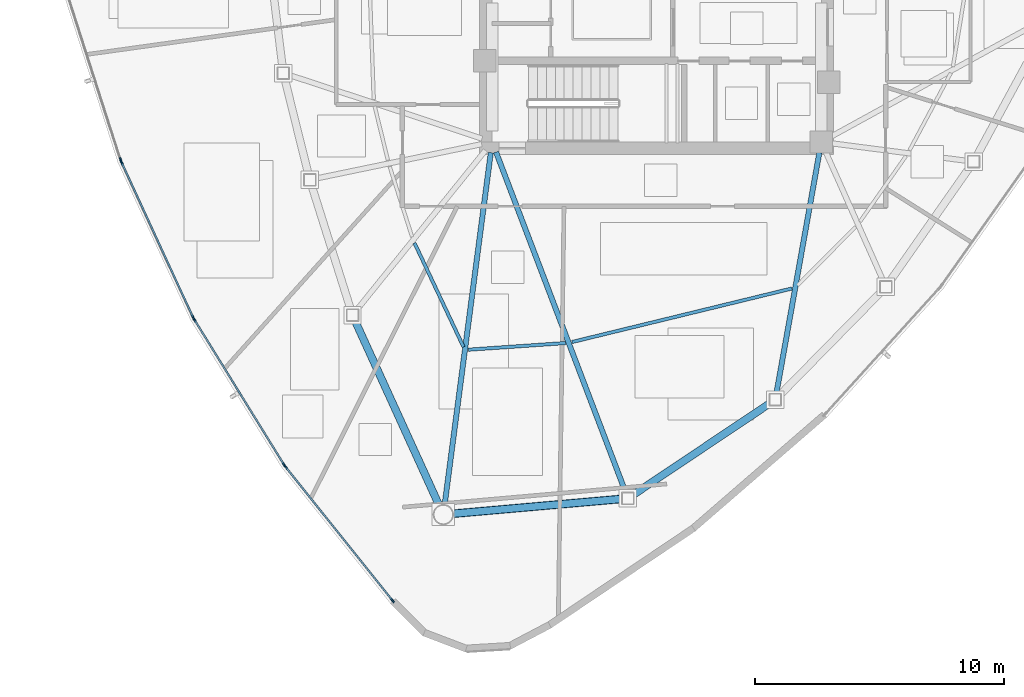
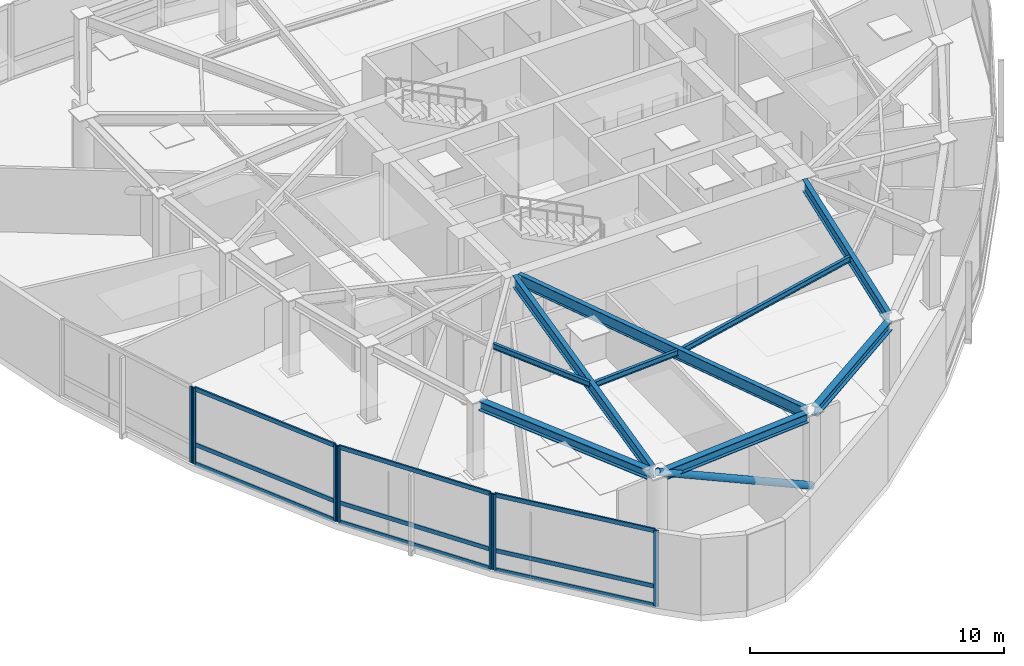
# One storey, part 2 of 14: 17 members, 9 beams, 4 elements without a shape of their own.
"""IFC4 building model written with IfcOpenShell, lengths in metres."""

from ifc_helpers import new_model, si_unit, direction, frame, origin, origin_2d, place, context, subcontext, project, spatial, hollow_rectangle, hollow_circle, i_section, extrude, source, transform, mapped, material, layer, layer_set, material_profile, profile_set, type_object, type_shapes, element, aggregate, save


model = new_model("IFC4")

# Units and contexts
model_context = context("Model", 3, precision=1e-05, world=origin(), true_north=direction((0.0, 1.0)))
body_context = subcontext(model_context, "Body", "Model", "MODEL_VIEW")
ifc_project = project(units=[si_unit("LENGTHUNIT", "METRE"), si_unit("AREAUNIT", "SQUARE_METRE"), si_unit("VOLUMEUNIT", "CUBIC_METRE"), si_unit("PLANEANGLEUNIT", "RADIAN"), si_unit("MASSUNIT", "GRAM", prefix="KILO")], contexts=[model_context])

# Site, building, storey
site_placement = place(None, origin())
site = spatial("IfcSite", under=ifc_project, at=site_placement, CompositionType="ELEMENT")
building_placement = place(site_placement, origin())
building = spatial("IfcBuilding", under=site, at=building_placement, Name="Tavelor Broadcast Tower", CompositionType="ELEMENT")
storey_placement = place(building_placement, frame((0.0, 0.0, 257.699951171875)))
storey = spatial("IfcBuildingStorey", under=building, at=storey_placement, Name="L61", CompositionType="ELEMENT", Elevation=257.699951171875)

# Beams
ifc_material_1 = material(Name="Steel S355", Category="steel")
ifc_material_profile_1 = material_profile(ifc_material_1, i_section(OverallWidth=0.135009765625, OverallDepth=0.27001953125, WebThickness=0.006591796875, FlangeThickness=0.01025390625, at=origin_2d()), Name="IPE 270")
ifc_profile_set_1 = profile_set([ifc_material_profile_1], Name="Steel S355")
beam_type_1 = type_object("IfcBeamType", Name="Composite Floor Joist T6 IPE 270", PredefinedType="JOIST", material=ifc_profile_set_1)
beam_1_placement = place(storey_placement, frame((40.28466796875, 34.7451171875, 3.51513671875), z_axis=(0.426527038786, -0.904474811802, 0.0), x_axis=(0.904474811802, 0.426527038786, 0.0)))
element("IfcBeam", 1, at=beam_1_placement, inside=storey, type_object=beam_type_1, Name="L61 Secondary Composite Floor Joist 06", PredefinedType="JOIST", context=body_context, shape_type="SweptSolid", body=[
    extrude(i_section(OverallWidth=0.135009765625, OverallDepth=0.27001953125, WebThickness=0.006591796875, FlangeThickness=0.01025390625, at=origin_2d()), origin(), (0.0, 0.0, 1.0), 4.60546875),
])
beam_2_placement = place(storey_placement, frame((42.440185546875, 30.46728515625, 3.51513671875), z_axis=(0.997669102567, 0.068237539396, 0.0), x_axis=(-0.068237539396, 0.997669102567, 0.0)))
element("IfcBeam", 2, at=beam_2_placement, inside=storey, type_object=beam_type_1, Name="L61 Secondary Composite Floor Joist 07", PredefinedType="JOIST", context=body_context, shape_type="SweptSolid", body=[
    extrude(i_section(OverallWidth=0.135009765625, OverallDepth=0.27001953125, WebThickness=0.006591796875, FlangeThickness=0.01025390625, at=origin_2d()), origin(), (0.0, 0.0, 1.0), 3.9033203125),
])
beam_3_placement = place(storey_placement, frame((46.598876953125, 30.7744140625, 3.51513671875), z_axis=(0.971610196631, 0.236587459098, 0.0), x_axis=(-0.236587459098, 0.971610196631, 0.0)))
element("IfcBeam", 3, at=beam_3_placement, inside=storey, type_object=beam_type_1, Name="L61 Secondary Composite Floor Joist 08", PredefinedType="JOIST", context=body_context, shape_type="SweptSolid", body=[
    extrude(i_section(OverallWidth=0.135009765625, OverallDepth=0.27001953125, WebThickness=0.006591796875, FlangeThickness=0.01025390625, at=origin_2d()), origin(), (0.0, 0.0, 1.0), 9.0849609375),
])
ifc_material_profile_2 = material_profile(ifc_material_1, i_section(OverallWidth=0.300048828125, OverallDepth=0.449951171875, WebThickness=0.013916015625, FlangeThickness=0.02587890625, at=origin_2d()), Name="HEB 450")
ifc_profile_set_2 = profile_set([ifc_material_profile_2], Name="Steel S355")
beam_type_2 = type_object("IfcBeamType", Name="Perimeter Spandrel Beam T6 HEB 450", PredefinedType="SPANDREL", material=ifc_profile_set_2)
beam_4_placement = place(storey_placement, frame((37.896484375, 31.635009765625, 3.425048828125), z_axis=(0.414463300231, -0.910066026595, 0.0), x_axis=(0.910066026595, 0.414463300231, 0.0)))
element("IfcBeam", 4, at=beam_4_placement, inside=storey, type_object=beam_type_2, Name="L61 Framed-Tube Ring Spandrel 06", PredefinedType="SPANDREL", context=body_context, shape_type="SweptSolid", body=[
    extrude(i_section(OverallWidth=0.300048828125, OverallDepth=0.449951171875, WebThickness=0.013916015625, FlangeThickness=0.02587890625, at=origin_2d()), origin(), (0.0, 0.0, 1.0), 8.16015625),
])
beam_5_placement = place(storey_placement, frame((41.828857421875, 23.887939453125, 3.425048828125), z_axis=(0.996154580768, 0.087613076733, 0.0), x_axis=(-0.087613076733, 0.996154580768, 0.0)))
element("IfcBeam", 5, at=beam_5_placement, inside=storey, type_object=beam_type_2, Name="L61 Framed-Tube Ring Spandrel 07", PredefinedType="SPANDREL", context=body_context, shape_type="SweptSolid", body=[
    extrude(i_section(OverallWidth=0.300048828125, OverallDepth=0.449951171875, WebThickness=0.013916015625, FlangeThickness=0.02587890625, at=origin_2d()), origin(), (0.0, 0.0, 1.0), 6.802001953125),
])
beam_6_placement = place(storey_placement, frame((49.043212890625, 24.638427734375, 3.425048828125), z_axis=(0.83097843332, 0.556304631795, 0.0), x_axis=(-0.556304631795, 0.83097843332, 0.0)))
element("IfcBeam", 6, at=beam_6_placement, inside=storey, type_object=beam_type_2, Name="L61 Framed-Tube Ring Spandrel 08", PredefinedType="SPANDREL", context=body_context, shape_type="SweptSolid", body=[
    extrude(i_section(OverallWidth=0.300048828125, OverallDepth=0.449951171875, WebThickness=0.013916015625, FlangeThickness=0.02587890625, at=origin_2d()), origin(), (0.0, 0.0, 1.0), 6.632568359375),
])

# Member
ifc_material_profile_3 = material_profile(ifc_material_1, hollow_circle(Radius=0.161865234375, WallThickness=0.01611328125, at=origin_2d()), Name="CHS 323.9x16")
ifc_profile_set_3 = profile_set([ifc_material_profile_3], Name="Steel S355")
member_type_1 = type_object("IfcMemberType", Name="Perimeter Tube Brace T6 CHS 323.9x16", PredefinedType="BRACE", material=ifc_profile_set_3)
member_1_placement = place(storey_placement, frame((48.843994140625, 24.5048828125, 0.0), z_axis=(-0.894143836839, -0.078634887979, 0.440821226162), x_axis=(0.087606208465, -0.996155184817, 0.0)))
element("IfcMember", 7, at=member_1_placement, inside=storey, type_object=member_type_1, Name="L61 Corner Tube Diagonal Brace 2", PredefinedType="BRACE", context=body_context, shape_type="SweptSolid", body=[
    extrude(hollow_circle(Radius=0.161865234375, WallThickness=0.01611328125, at=origin_2d()), origin(), (0.0, 0.0, 1.0), 8.2802734375),
])

# Beams
ifc_material_profile_4 = material_profile(ifc_material_1, i_section(OverallWidth=0.2099609375, OverallDepth=0.550048828125, WebThickness=0.010986328125, FlangeThickness=0.01708984375, at=origin_2d()), Name="IPE 550")
ifc_profile_set_4 = profile_set([ifc_material_profile_4], Name="Steel S355")
beam_type_3 = type_object("IfcBeamType", Name="Radial Floor Girder T6 IPE 550", PredefinedType="BEAM", material=ifc_profile_set_4)
beam_7_placement = place(storey_placement, frame((43.34375, 38.37158203125, 3.375), z_axis=(-0.130001183832, -0.991513838634, 0.0), x_axis=(0.991513838634, -0.130001183832, 0.0)))
element("IfcBeam", 8, at=beam_7_placement, inside=storey, type_object=beam_type_3, Name="L61 Radial Primary Floor Girder 07", PredefinedType="BEAM", context=body_context, shape_type="SweptSolid", body=[
    extrude(i_section(OverallWidth=0.2099609375, OverallDepth=0.550048828125, WebThickness=0.010986328125, FlangeThickness=0.01708984375, at=origin_2d()), origin(), (0.0, 0.0, 1.0), 14.251953125),
])
beam_8_placement = place(storey_placement, frame((43.5537109375, 38.396240234375, 3.375), z_axis=(0.355897443136, -0.934525018375, 0.0), x_axis=(0.934525018375, 0.355897443136, 0.0)))
element("IfcBeam", 9, at=beam_8_placement, inside=storey, type_object=beam_type_3, Name="L61 Radial Primary Floor Girder 08", PredefinedType="BEAM", context=body_context, shape_type="SweptSolid", body=[
    extrude(i_section(OverallWidth=0.2099609375, OverallDepth=0.550048828125, WebThickness=0.010986328125, FlangeThickness=0.01708984375, at=origin_2d()), origin(), (0.0, 0.0, 1.0), 14.62451171875),
])
beam_9_placement = place(storey_placement, frame((56.524169921875, 38.374755859375, 3.375), z_axis=(-0.175770007633, -0.984431259366, 0.0), x_axis=(0.984431259366, -0.175770007633, 0.0)))
element("IfcBeam", 10, at=beam_9_placement, inside=storey, type_object=beam_type_3, Name="L61 Radial Primary Floor Girder 09", PredefinedType="BEAM", context=body_context, shape_type="SweptSolid", body=[
    extrude(i_section(OverallWidth=0.2099609375, OverallDepth=0.550048828125, WebThickness=0.010986328125, FlangeThickness=0.01708984375, at=origin_2d()), origin(), (0.0, 0.0, 1.0), 9.829833984375),
])

# Curtain wall, member
ifc_material_2 = material(Name="Architectural Anodized Aluminium", Category="aluminium")
ifc_layer = layer(ifc_material_2, 0.199951171875)
ifc_layer_set = layer_set([ifc_layer], Name="Architectural Anodized Aluminium")
curtain_wall_type = type_object("IfcCurtainWallType", Name="Tower High-Zone Triple-Glazed Curtain Wall CW04", PredefinedType="NOTDEFINED", material=ifc_layer_set)
curtain_wall_1_placement = place(storey_placement, origin())
curtain_wall_1 = element("IfcCurtainWall", 11, at=curtain_wall_1_placement, inside=storey, type_object=curtain_wall_type, Name="L61 Curtain Wall CW04 Run 661", PredefinedType="NOTDEFINED")
ifc_material_profile_5 = material_profile(ifc_material_2, hollow_rectangle(XDim=0.070068359375, YDim=0.199951171875, WallThickness=0.02197265625, at=origin_2d()), Name="RHS 70x200x22")
ifc_profile_set_5 = profile_set([ifc_material_profile_5], Name="Architectural Anodized Aluminium")
member_type_2 = type_object("IfcMemberType", Name="CW04 Extruded Aluminium Mullion 70x200", PredefinedType="MULLION", material=ifc_profile_set_5)
shared_shape_1 = source(origin(), body_context, "Body", "SweptSolid", [
    extrude(hollow_rectangle(XDim=0.070068359375, YDim=0.199951171875, WallThickness=0.02197265625, at=origin_2d()), origin(), (0.0, 0.0, 1.0), 3.650146484375),
])
type_shapes(member_type_2, [shared_shape_1])
member_2_placement = place(storey_placement, frame((28.498291015625, 38.073974609375, 0.0), z_axis=(0.0, 0.0, 1.0), x_axis=(0.95199674725, 0.306108139756, 0.0)))
member_2 = element("IfcMember", 12, at=member_2_placement, type_object=member_type_2, Name="CW04 mullion 2", PredefinedType="MULLION", context=body_context, shape_type="MappedRepresentation", body=[
    mapped(shared_shape_1, transform((0.0, 0.0, 0.0), scale=1.0)),
])
aggregate(curtain_wall_1, [member_2])

# Curtain wall, members
curtain_wall_2_placement = place(storey_placement, origin())
curtain_wall_2 = element("IfcCurtainWall", 13, at=curtain_wall_2_placement, inside=storey, type_object=curtain_wall_type, Name="L61 Curtain Wall CW04 Run 662", PredefinedType="NOTDEFINED")
member_3_placement = place(storey_placement, frame((28.53466796875, 37.98095703125, 0.0), z_axis=(0.0, 0.0, 1.0), x_axis=(0.907957692506, 0.419061843431, 0.0)))
member_3 = element("IfcMember", 14, at=member_3_placement, type_object=member_type_2, Name="CW04 mullion 1", PredefinedType="MULLION", context=body_context, shape_type="MappedRepresentation", body=[
    mapped(shared_shape_1, transform((0.0, 0.0, 0.0), scale=1.0)),
])
member_4_placement = place(storey_placement, frame((31.40478515625, 31.761962890625, 0.0), z_axis=(0.0, 0.0, 1.0), x_axis=(0.907957692506, 0.419061843431, 0.0)))
member_4 = element("IfcMember", 15, at=member_4_placement, type_object=member_type_2, Name="CW04 mullion 2", PredefinedType="MULLION", context=body_context, shape_type="MappedRepresentation", body=[
    mapped(shared_shape_1, transform((0.0, 0.0, 0.0), scale=1.0)),
])

curtain_wall_3_placement = place(storey_placement, origin())
curtain_wall_3 = element("IfcCurtainWall", 16, at=curtain_wall_3_placement, inside=storey, type_object=curtain_wall_type, Name="L61 Curtain Wall CW04 Run 663", PredefinedType="NOTDEFINED")
member_5_placement = place(storey_placement, frame((31.451904296875, 31.674072265625, 0.0), z_axis=(0.0, 0.0, 1.0), x_axis=(0.850571768712, 0.525858979452, 0.0)))
member_5 = element("IfcMember", 17, at=member_5_placement, type_object=member_type_2, Name="CW04 mullion 1", PredefinedType="MULLION", context=body_context, shape_type="MappedRepresentation", body=[
    mapped(shared_shape_1, transform((0.0, 0.0, 0.0), scale=1.0)),
])
member_6_placement = place(storey_placement, frame((35.0537109375, 25.848388671875, 0.0), z_axis=(0.0, 0.0, 1.0), x_axis=(0.850571768712, 0.525858979452, 0.0)))
member_6 = element("IfcMember", 18, at=member_6_placement, type_object=member_type_2, Name="CW04 mullion 2", PredefinedType="MULLION", context=body_context, shape_type="MappedRepresentation", body=[
    mapped(shared_shape_1, transform((0.0, 0.0, 0.0), scale=1.0)),
])

curtain_wall_4_placement = place(storey_placement, origin())
curtain_wall_4 = element("IfcCurtainWall", 19, at=curtain_wall_4_placement, inside=storey, type_object=curtain_wall_type, Name="L61 Curtain Wall CW04 Run 664", PredefinedType="NOTDEFINED")
member_7_placement = place(storey_placement, frame((35.111328125, 25.7666015625, 0.0), z_axis=(0.0, 0.0, 1.0), x_axis=(0.780688715164, 0.624920098905, 0.0)))
member_7 = element("IfcMember", 20, at=member_7_placement, type_object=member_type_2, Name="CW04 mullion 1", PredefinedType="MULLION", context=body_context, shape_type="MappedRepresentation", body=[
    mapped(shared_shape_1, transform((0.0, 0.0, 0.0), scale=1.0)),
])
member_8_placement = place(storey_placement, frame((39.401611328125, 20.406982421875, 0.0), z_axis=(0.0, 0.0, 1.0), x_axis=(0.780688715164, 0.624920098905, 0.0)))
member_8 = element("IfcMember", 21, at=member_8_placement, type_object=member_type_2, Name="CW04 mullion 2", PredefinedType="MULLION", context=body_context, shape_type="MappedRepresentation", body=[
    mapped(shared_shape_1, transform((0.0, 0.0, 0.0), scale=1.0)),
])

# Member
ifc_material_profile_6 = material_profile(ifc_material_2, hollow_rectangle(XDim=0.070068359375, YDim=0.199951171875, WallThickness=0.02197265625, at=origin_2d()), Name="RHS 70x200x22")
ifc_profile_set_6 = profile_set([ifc_material_profile_6], Name="Architectural Anodized Aluminium")
member_type_3 = type_object("IfcMemberType", Name="CW04 Extruded Aluminium Transom 70x200", PredefinedType="USERDEFINED", material=ifc_profile_set_6)
shared_shape_2 = source(origin(), body_context, "Body", "SweptSolid", [
    extrude(hollow_rectangle(XDim=0.070068359375, YDim=0.199951171875, WallThickness=0.02197265625, at=origin_2d()), origin(), (0.0, 0.0, 1.0), 6.779296875),
])
member_9_placement = place(storey_placement, frame((28.54931640625, 37.94921875, 0.03515625), z_axis=(0.419049042397, -0.907963600628, 0.0), x_axis=(0.907963600628, 0.419049042397, 0.0)))
member_9 = element("IfcMember", 22, at=member_9_placement, type_object=member_type_3, Name="CW04 transom 1.1", ObjectType="TRANSOM", PredefinedType="USERDEFINED", context=body_context, shape_type="MappedRepresentation", body=[
    mapped(shared_shape_2, transform((0.0, 0.0, 0.0), scale=1.0)),
])

member_10_placement = place(storey_placement, frame((28.54931640625, 37.94921875, 0.949951171875), z_axis=(0.419049042397, -0.907963600628, 0.0), x_axis=(0.907963600628, 0.419049042397, 0.0)))
member_10 = element("IfcMember", 23, at=member_10_placement, type_object=member_type_3, Name="CW04 transom 1.2", ObjectType="TRANSOM", PredefinedType="USERDEFINED", context=body_context, shape_type="MappedRepresentation", body=[
    mapped(shared_shape_2, transform((0.0, 0.0, 0.0), scale=1.0)),
])

member_11_placement = place(storey_placement, frame((28.54931640625, 37.94921875, 3.614990234375), z_axis=(0.419049042397, -0.907963600628, 0.0), x_axis=(0.907963600628, 0.419049042397, 0.0)))
member_11 = element("IfcMember", 24, at=member_11_placement, type_object=member_type_3, Name="CW04 transom 1.3", ObjectType="TRANSOM", PredefinedType="USERDEFINED", context=body_context, shape_type="MappedRepresentation", body=[
    mapped(shared_shape_2, transform((0.0, 0.0, 0.0), scale=1.0)),
])

aggregate(curtain_wall_2, [member_3, member_4, member_9, member_10, member_11])

member_12_placement = place(storey_placement, frame((31.470458984375, 31.644287109375, 0.03515625), z_axis=(0.525852416144, -0.850575826388, 0.0), x_axis=(0.850575826388, 0.525852416144, 0.0)))
member_12 = element("IfcMember", 25, at=member_12_placement, type_object=member_type_3, Name="CW04 transom 1.1", ObjectType="TRANSOM", PredefinedType="USERDEFINED", context=body_context, shape_type="MappedRepresentation", body=[
    mapped(shared_shape_2, transform((0.0, 0.0, 0.0), scale=1.0)),
])

member_13_placement = place(storey_placement, frame((31.470458984375, 31.644287109375, 0.949951171875), z_axis=(0.525852416144, -0.850575826388, 0.0), x_axis=(0.850575826388, 0.525852416144, 0.0)))
member_13 = element("IfcMember", 26, at=member_13_placement, type_object=member_type_3, Name="CW04 transom 1.2", ObjectType="TRANSOM", PredefinedType="USERDEFINED", context=body_context, shape_type="MappedRepresentation", body=[
    mapped(shared_shape_2, transform((0.0, 0.0, 0.0), scale=1.0)),
])

member_14_placement = place(storey_placement, frame((31.470458984375, 31.644287109375, 3.614990234375), z_axis=(0.525852416144, -0.850575826388, 0.0), x_axis=(0.850575826388, 0.525852416144, 0.0)))
member_14 = element("IfcMember", 27, at=member_14_placement, type_object=member_type_3, Name="CW04 transom 1.3", ObjectType="TRANSOM", PredefinedType="USERDEFINED", context=body_context, shape_type="MappedRepresentation", body=[
    mapped(shared_shape_2, transform((0.0, 0.0, 0.0), scale=1.0)),
])

aggregate(curtain_wall_3, [member_5, member_6, member_12, member_13, member_14])

shared_shape_3 = source(origin(), body_context, "Body", "SweptSolid", [
    extrude(hollow_rectangle(XDim=0.070068359375, YDim=0.199951171875, WallThickness=0.02197265625, at=origin_2d()), origin(), (0.0, 0.0, 1.0), 6.795166015625),
])
type_shapes(member_type_3, [shared_shape_2, shared_shape_3])
member_15_placement = place(storey_placement, frame((35.13330078125, 25.7392578125, 0.03515625), z_axis=(0.624909720465, -0.78069702271, 0.0), x_axis=(0.78069702271, 0.624909720465, 0.0)))
member_15 = element("IfcMember", 28, at=member_15_placement, type_object=member_type_3, Name="CW04 transom 1.1", ObjectType="TRANSOM", PredefinedType="USERDEFINED", context=body_context, shape_type="MappedRepresentation", body=[
    mapped(shared_shape_3, transform((0.0, 0.0, 0.0), scale=1.0)),
])

member_16_placement = place(storey_placement, frame((35.13330078125, 25.7392578125, 0.949951171875), z_axis=(0.624909720465, -0.78069702271, 0.0), x_axis=(0.78069702271, 0.624909720465, 0.0)))
member_16 = element("IfcMember", 29, at=member_16_placement, type_object=member_type_3, Name="CW04 transom 1.2", ObjectType="TRANSOM", PredefinedType="USERDEFINED", context=body_context, shape_type="MappedRepresentation", body=[
    mapped(shared_shape_3, transform((0.0, 0.0, 0.0), scale=1.0)),
])

member_17_placement = place(storey_placement, frame((35.13330078125, 25.7392578125, 3.614990234375), z_axis=(0.624909720465, -0.78069702271, 0.0), x_axis=(0.78069702271, 0.624909720465, 0.0)))
member_17 = element("IfcMember", 30, at=member_17_placement, type_object=member_type_3, Name="CW04 transom 1.3", ObjectType="TRANSOM", PredefinedType="USERDEFINED", context=body_context, shape_type="MappedRepresentation", body=[
    mapped(shared_shape_3, transform((0.0, 0.0, 0.0), scale=1.0)),
])

aggregate(curtain_wall_4, [member_7, member_8, member_15, member_16, member_17])

save(model, "model.ifc")
